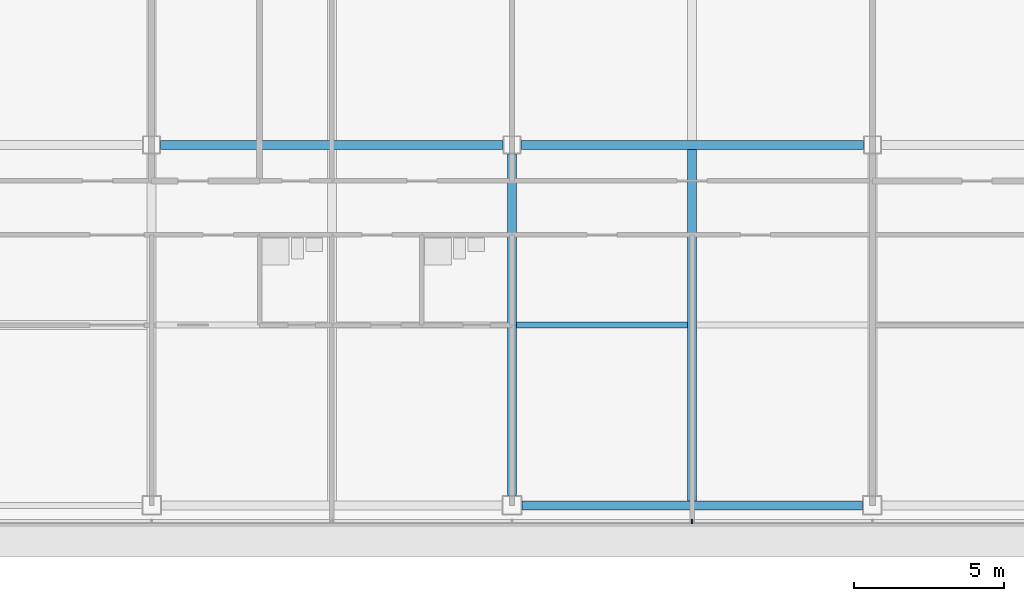
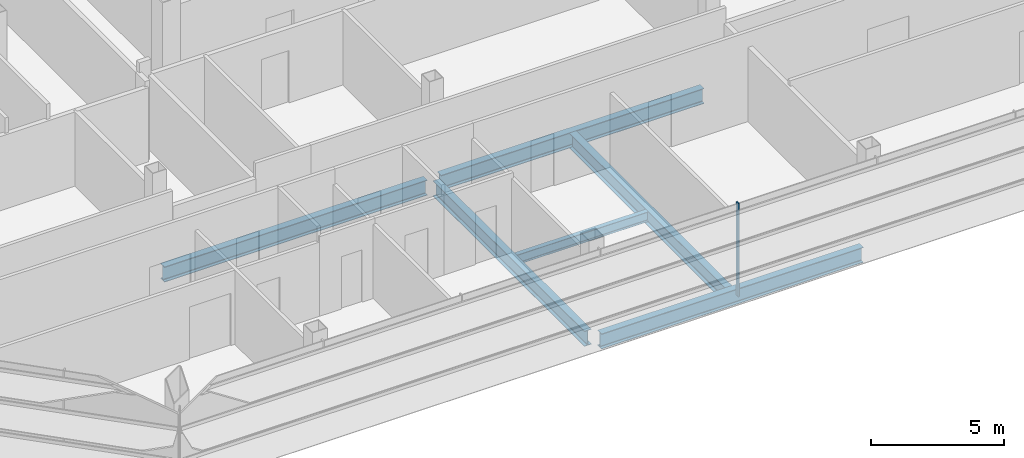
# One storey, part 3 of 30: 6 beams, 1 member, 1 element without a shape of its own.
"""IFC4 building model written with IfcOpenShell, lengths in metres."""

from ifc_helpers import new_model, si_unit, direction, frame, origin, origin_2d, place, context, subcontext, project, spatial, rectangle, i_section, extrude, material, material_profile, profile_set, type_object, element, aggregate, save


model = new_model("IFC4")

# Units and contexts
model_context = context("Model", 3, precision=1e-05, world=origin(), true_north=direction((0.0, 1.0)))
body_context = subcontext(model_context, "Body", "Model", "MODEL_VIEW")
ifc_project = project(units=[si_unit("LENGTHUNIT", "METRE"), si_unit("AREAUNIT", "SQUARE_METRE"), si_unit("VOLUMEUNIT", "CUBIC_METRE"), si_unit("PLANEANGLEUNIT", "RADIAN"), si_unit("MASSUNIT", "GRAM", prefix="KILO")], contexts=[model_context])

# Site, building, storey
site_placement = place(None, origin())
site = spatial("IfcSite", under=ifc_project, at=site_placement, CompositionType="ELEMENT")
building_placement = place(site_placement, origin())
building = spatial("IfcBuilding", under=site, at=building_placement, Name="Sorahane Residences", CompositionType="ELEMENT")
storey_placement = place(building_placement, frame((0.0, 0.0, 229.800048828125)))
storey = spatial("IfcBuildingStorey", under=building, at=storey_placement, Name="L54", CompositionType="ELEMENT", Elevation=229.800048828125)

# Curtain wall, member
ifc_material_1 = material(Name="Dark low-e glass and black anodised aluminium", Category="aluminium")
curtain_wall_type = type_object("IfcCurtainWallType", Name="Curtain wall CW-1 Typical unitised wall", PredefinedType="NOTDEFINED", material=ifc_material_1)
curtain_wall_placement = place(storey_placement, origin())
curtain_wall = element("IfcCurtainWall", 1, at=curtain_wall_placement, inside=storey, type_object=curtain_wall_type, Name="CW-1 curtain wall L54 S2", PredefinedType="NOTDEFINED")
ifc_material_2 = material(Name="Black anodised aluminium", Category="aluminium")
ifc_material_profile_1 = material_profile(ifc_material_2, rectangle(XDim=0.159912109375, YDim=0.050048828125, at=origin_2d()), Name="Curtain wall mullion CW-1 black anodised aluminium 50x160")
ifc_profile_set_1 = profile_set([ifc_material_profile_1], Name="Black anodised aluminium")
member_type = type_object("IfcMemberType", Name="Curtain wall mullion CW-1 black anodised aluminium 50x160", PredefinedType="MULLION", material=ifc_profile_set_1)
member_placement = place(storey_placement, frame((18.0, -0.5400390625, -0.179931640625), z_axis=(0.0, 0.0, 1.0), x_axis=(0.0, -1.0, 0.0)))
member = element("IfcMember", 2, at=member_placement, type_object=member_type, Name="CW-1 mullion L54 S2.5", PredefinedType="MULLION", context=body_context, shape_type="SweptSolid", body=[
    extrude(rectangle(XDim=0.159912109375, YDim=0.050048828125, at=origin_2d()), origin(), (0.0, 0.0, 1.0), 4.27978515625),
])
aggregate(curtain_wall, [member])

# Beams
ifc_material_3 = material(Name="Steel Q355B", Category="steel")
ifc_material_profile_2 = material_profile(ifc_material_3, i_section(OverallWidth=0.199951171875, OverallDepth=0.449951171875, WebThickness=0.009033203125, FlangeThickness=0.013916015625, FilletRadius=0.02001953125, at=origin_2d()), Name="HN 450x200x9x14")
ifc_profile_set_2 = profile_set([ifc_material_profile_2], Name="Steel Q355B")
beam_type_1 = type_object("IfcBeamType", Name="Steel floor beam HN 450x200x9x14 Q355B", PredefinedType="BEAM", material=ifc_profile_set_2)
beam_1_placement = place(storey_placement, frame((12.14990234375, 6.0, -0.405029296875), z_axis=(1.0, 0.0, 0.0), x_axis=(0.0, 1.0, 0.0)))
element("IfcBeam", 3, at=beam_1_placement, inside=storey, type_object=beam_type_1, Name="Beam L54 070", PredefinedType="BEAM", context=body_context, shape_type="SweptSolid", body=[
    extrude(i_section(OverallWidth=0.199951171875, OverallDepth=0.449951171875, WebThickness=0.009033203125, FlangeThickness=0.013916015625, FilletRadius=0.02001953125, at=origin_2d()), origin(), (0.0, 0.0, 1.0), 5.7001953125),
])
ifc_material_4 = material(Name="Steel Q355B", Category="steel")
ifc_material_profile_3 = material_profile(ifc_material_4, i_section(OverallWidth=0.300048828125, OverallDepth=0.699951171875, WebThickness=0.012939453125, FlangeThickness=0.02392578125, FilletRadius=0.028076171875, at=origin_2d()), Name="HN 700x300x13x24")
ifc_profile_set_3 = profile_set([ifc_material_profile_3], Name="Steel Q355B")
beam_type_2 = type_object("IfcBeamType", Name="Steel floor beam HN 700x300x13x24 Q355B", PredefinedType="BEAM", material=ifc_profile_set_3)
beam_2_placement = place(storey_placement, frame((12.324951171875, 0.0, -0.530029296875), z_axis=(1.0, 0.0, 0.0), x_axis=(0.0, 1.0, 0.0)))
element("IfcBeam", 4, at=beam_2_placement, inside=storey, type_object=beam_type_2, Name="Beam L54 002", PredefinedType="BEAM", context=body_context, shape_type="SweptSolid", body=[
    extrude(i_section(OverallWidth=0.300048828125, OverallDepth=0.699951171875, WebThickness=0.012939453125, FlangeThickness=0.02392578125, FilletRadius=0.028076171875, at=origin_2d()), origin(), (0.0, 0.0, 1.0), 11.35009765625),
])
for number, where, z_axis, x_axis, name in (
    (5, (0.300048828125, 12.0, -0.530029296875), (1.0, 0.0, 0.0), (0.0, 1.0, 0.0), "Beam L54 006"),
    (6, (12.300048828125, 12.0, -0.530029296875), (1.0, 0.0, 0.0), (0.0, 1.0, 0.0), "Beam L54 007"),
):
    element("IfcBeam", number, at=place(storey_placement, frame(where, z_axis=z_axis, x_axis=x_axis)), inside=storey, type_object=beam_type_2, Name=name, PredefinedType="BEAM", context=body_context, shape_type="SweptSolid", body=[
        extrude(i_section(OverallWidth=0.300048828125, OverallDepth=0.699951171875, WebThickness=0.012939453125, FlangeThickness=0.02392578125, FilletRadius=0.028076171875, at=origin_2d()), origin(), (0.0, 0.0, 1.0), 11.39990234375),
    ])
beam_3_placement = place(storey_placement, frame((12.0, 0.324951171875, -0.530029296875), z_axis=(0.0, 1.0, 0.0), x_axis=(-1.0, 0.0, 0.0)))
element("IfcBeam", 7, at=beam_3_placement, inside=storey, type_object=beam_type_2, Name="Beam L54 034", PredefinedType="BEAM", context=body_context, shape_type="SweptSolid", body=[
    extrude(i_section(OverallWidth=0.300048828125, OverallDepth=0.699951171875, WebThickness=0.012939453125, FlangeThickness=0.02392578125, FilletRadius=0.028076171875, at=origin_2d()), origin(), (0.0, 0.0, 1.0), 11.375),
])
beam_4_placement = place(storey_placement, frame((18.0, 0.14990234375, -0.530029296875), z_axis=(0.0, 1.0, 0.0), x_axis=(-1.0, 0.0, 0.0)))
element("IfcBeam", 8, at=beam_4_placement, inside=storey, type_object=beam_type_2, Name="Beam L54 036", PredefinedType="BEAM", context=body_context, shape_type="SweptSolid", body=[
    extrude(i_section(OverallWidth=0.300048828125, OverallDepth=0.699951171875, WebThickness=0.012939453125, FlangeThickness=0.02392578125, FilletRadius=0.028076171875, at=origin_2d()), origin(), (0.0, 0.0, 1.0), 11.7001953125),
])

save(model, "model.ifc")
